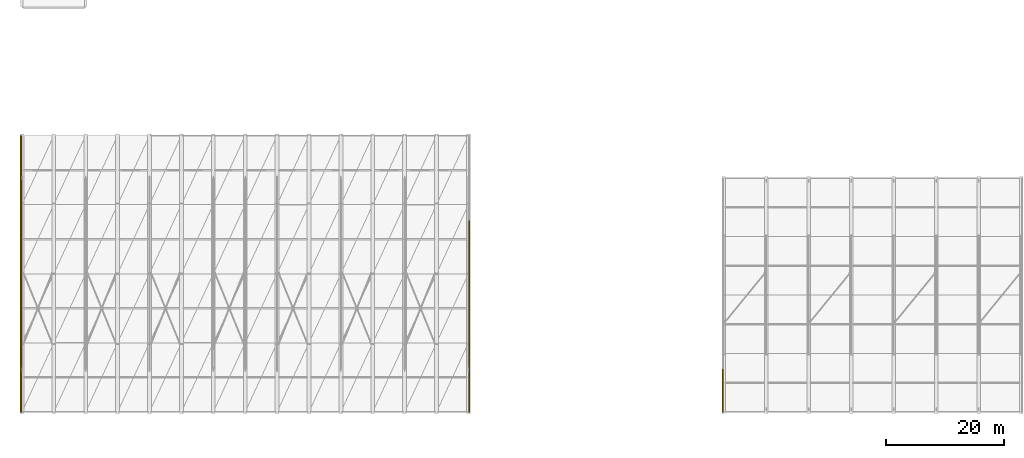
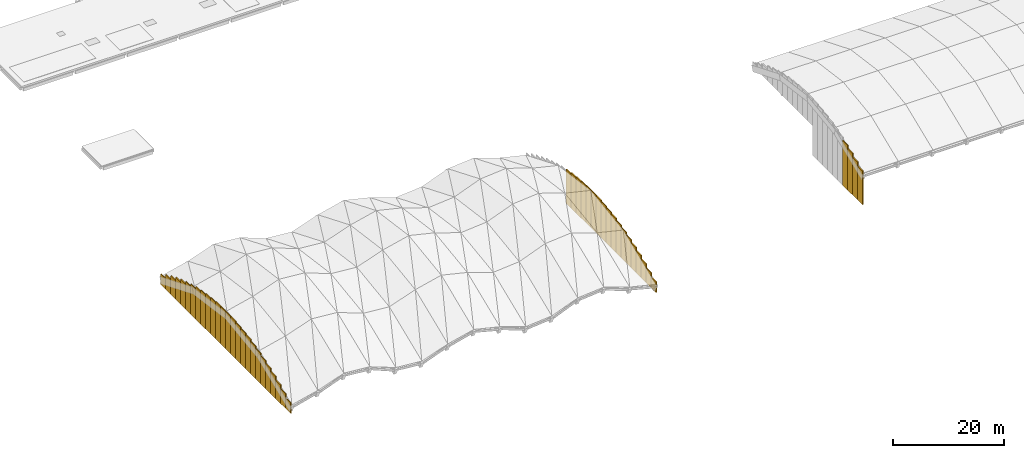
# One storey, part 19 of 22: 48 coverings.
"""IFC4 building model written with IfcOpenShell, lengths in metres."""

from ifc_helpers import new_model, si_unit, direction, frame, origin, origin_2d, place, context, subcontext, project, spatial, rectangle, extrude, material, layer, layer_set, type_object, element, save


model = new_model("IFC4")

# Units and contexts
model_context = context("Model", 3, precision=1e-05, world=origin(), true_north=direction((0.0, 1.0)))
body_context = subcontext(model_context, "Body", "Model", "MODEL_VIEW")
ifc_project = project(units=[si_unit("LENGTHUNIT", "METRE"), si_unit("AREAUNIT", "SQUARE_METRE"), si_unit("VOLUMEUNIT", "CUBIC_METRE"), si_unit("PLANEANGLEUNIT", "RADIAN"), si_unit("MASSUNIT", "GRAM", prefix="KILO")], contexts=[model_context])

# Site, building, storey
site_placement = place(None, origin())
site = spatial("IfcSite", under=ifc_project, at=site_placement, CompositionType="ELEMENT")
building_placement = place(site_placement, origin())
building = spatial("IfcBuilding", under=site, at=building_placement, Name="Lusvemor Sports Hall", CompositionType="ELEMENT")
storey_placement = place(building_placement, frame((0.0, 0.0, 23.39990234375)))
storey = spatial("IfcBuildingStorey", under=building, at=storey_placement, Name="Roof", CompositionType="ELEMENT", Elevation=23.39990234375)

# Coverings
ifc_material_1 = material(Name="Emerald polychrome glazed ceramic cladding on Concrete C40/50 backing", Category="concrete")
ifc_layer_1 = layer(ifc_material_1, 0.0458984375)
ifc_layer_set_1 = layer_set([ifc_layer_1], Name="Emerald polychrome glazed ceramic cladding on Concrete C40/50 backing")
covering_type_1 = type_object("IfcCoveringType", Name="CLAD_WAVE_EMERALD", PredefinedType="CLADDING", material=ifc_layer_set_1)
covering_1_placement = place(storey_placement, frame((118.639892578125, 0.89990234375, -8.5498046875), z_axis=(0.0, 0.0, 1.0), x_axis=(1.0, 0.0, 0.0)))
element("IfcCovering", 1, at=covering_1_placement, inside=storey, type_object=covering_type_1, Name="East Vault Gable Patterned Tympanum W-01", PredefinedType="CLADDING", context=body_context, shape_type="SweptSolid", body=[
    extrude(rectangle(XDim=0.199951171875, YDim=1.81201171875, at=origin_2d()), origin(), (0.0, 0.0, 1.0), 7.409912109375),
])
covering_2_placement = place(storey_placement, frame((118.639892578125, 4.5, -8.5498046875), z_axis=(0.0, 0.0, 1.0), x_axis=(1.0, 0.0, 0.0)))
element("IfcCovering", 2, at=covering_2_placement, inside=storey, type_object=covering_type_1, Name="East Vault Gable Patterned Tympanum W-03", PredefinedType="CLADDING", context=body_context, shape_type="SweptSolid", body=[
    extrude(rectangle(XDim=0.199951171875, YDim=1.81201171875, at=origin_2d()), origin(), (0.0, 0.0, 1.0), 9.105712890625),
])
covering_3_placement = place(storey_placement, frame((-0.159912109375, 0.89990234375, -12.7998046875), z_axis=(0.0, 0.0, 1.0), x_axis=(1.0, 0.0, 0.0)))
element("IfcCovering", 3, at=covering_3_placement, inside=storey, type_object=covering_type_1, Name="Wave Vault Gable Patterned Tympanum W-01", PredefinedType="CLADDING", context=body_context, shape_type="SweptSolid", body=[
    extrude(rectangle(XDim=0.199951171875, YDim=1.81201171875, at=origin_2d()), origin(), (0.0, 0.0, 1.0), 2.30517578125),
])
covering_4_placement = place(storey_placement, frame((-0.159912109375, 4.5, -12.7998046875), z_axis=(0.0, 0.0, 1.0), x_axis=(1.0, 0.0, 0.0)))
element("IfcCovering", 4, at=covering_4_placement, inside=storey, type_object=covering_type_1, Name="Wave Vault Gable Patterned Tympanum W-03", PredefinedType="CLADDING", context=body_context, shape_type="SweptSolid", body=[
    extrude(rectangle(XDim=0.199951171875, YDim=1.81201171875, at=origin_2d()), origin(), (0.0, 0.0, 1.0), 4.055419921875),
])
covering_5_placement = place(storey_placement, frame((-0.159912109375, 8.10009765625, -12.7998046875), z_axis=(0.0, 0.0, 1.0), x_axis=(1.0, 0.0, 0.0)))
element("IfcCovering", 5, at=covering_5_placement, inside=storey, type_object=covering_type_1, Name="Wave Vault Gable Patterned Tympanum W-05", PredefinedType="CLADDING", context=body_context, shape_type="SweptSolid", body=[
    extrude(rectangle(XDim=0.199951171875, YDim=1.81201171875, at=origin_2d()), origin(), (0.0, 0.0, 1.0), 5.501220703125),
])
covering_6_placement = place(storey_placement, frame((-0.159912109375, 11.699951171875, -12.7998046875), z_axis=(0.0, 0.0, 1.0), x_axis=(1.0, 0.0, 0.0)))
element("IfcCovering", 6, at=covering_6_placement, inside=storey, type_object=covering_type_1, Name="Wave Vault Gable Patterned Tympanum W-07", PredefinedType="CLADDING", context=body_context, shape_type="SweptSolid", body=[
    extrude(rectangle(XDim=0.199951171875, YDim=1.81201171875, at=origin_2d()), origin(), (0.0, 0.0, 1.0), 6.642578125),
])
covering_7_placement = place(storey_placement, frame((-0.159912109375, 15.300048828125, -12.7998046875), z_axis=(0.0, 0.0, 1.0), x_axis=(1.0, 0.0, 0.0)))
element("IfcCovering", 7, at=covering_7_placement, inside=storey, type_object=covering_type_1, Name="Wave Vault Gable Patterned Tympanum W-09", PredefinedType="CLADDING", context=body_context, shape_type="SweptSolid", body=[
    extrude(rectangle(XDim=0.199951171875, YDim=1.81201171875, at=origin_2d()), origin(), (0.0, 0.0, 1.0), 7.4794921875),
])
covering_8_placement = place(storey_placement, frame((-0.159912109375, 18.89990234375, -12.7998046875), z_axis=(0.0, 0.0, 1.0), x_axis=(1.0, 0.0, 0.0)))
element("IfcCovering", 8, at=covering_8_placement, inside=storey, type_object=covering_type_1, Name="Wave Vault Gable Patterned Tympanum W-11", PredefinedType="CLADDING", context=body_context, shape_type="SweptSolid", body=[
    extrude(rectangle(XDim=0.199951171875, YDim=1.81201171875, at=origin_2d()), origin(), (0.0, 0.0, 1.0), 8.01220703125),
])
covering_9_placement = place(storey_placement, frame((-0.159912109375, 22.5, -12.7998046875), z_axis=(0.0, 0.0, 1.0), x_axis=(1.0, 0.0, 0.0)))
element("IfcCovering", 9, at=covering_9_placement, inside=storey, type_object=covering_type_1, Name="Wave Vault Gable Patterned Tympanum W-13", PredefinedType="CLADDING", context=body_context, shape_type="SweptSolid", body=[
    extrude(rectangle(XDim=0.199951171875, YDim=1.81201171875, at=origin_2d()), origin(), (0.0, 0.0, 1.0), 8.240478515625),
])
covering_10_placement = place(storey_placement, frame((-0.159912109375, 26.10009765625, -12.7998046875), z_axis=(0.0, 0.0, 1.0), x_axis=(1.0, 0.0, 0.0)))
element("IfcCovering", 10, at=covering_10_placement, inside=storey, type_object=covering_type_1, Name="Wave Vault Gable Patterned Tympanum W-15", PredefinedType="CLADDING", context=body_context, shape_type="SweptSolid", body=[
    extrude(rectangle(XDim=0.199951171875, YDim=1.81201171875, at=origin_2d()), origin(), (0.0, 0.0, 1.0), 8.164306640625),
])
covering_11_placement = place(storey_placement, frame((-0.159912109375, 29.699951171875, -12.7998046875), z_axis=(0.0, 0.0, 1.0), x_axis=(1.0, 0.0, 0.0)))
element("IfcCovering", 11, at=covering_11_placement, inside=storey, type_object=covering_type_1, Name="Wave Vault Gable Patterned Tympanum W-17", PredefinedType="CLADDING", context=body_context, shape_type="SweptSolid", body=[
    extrude(rectangle(XDim=0.199951171875, YDim=1.81201171875, at=origin_2d()), origin(), (0.0, 0.0, 1.0), 7.783935546875),
])
covering_12_placement = place(storey_placement, frame((-0.159912109375, 33.300048828125, -12.800048828125), z_axis=(0.0, 0.0, 1.0), x_axis=(1.0, 0.0, 0.0)))
element("IfcCovering", 12, at=covering_12_placement, inside=storey, type_object=covering_type_1, Name="Wave Vault Gable Patterned Tympanum W-19", PredefinedType="CLADDING", context=body_context, shape_type="SweptSolid", body=[
    extrude(rectangle(XDim=0.199951171875, YDim=1.81201171875, at=origin_2d()), origin(), (0.0, 0.0, 1.0), 7.09912109375),
])
covering_13_placement = place(storey_placement, frame((-0.159912109375, 36.89990234375, -12.800048828125), z_axis=(0.0, 0.0, 1.0), x_axis=(1.0, 0.0, 0.0)))
element("IfcCovering", 13, at=covering_13_placement, inside=storey, type_object=covering_type_1, Name="Wave Vault Gable Patterned Tympanum W-21", PredefinedType="CLADDING", context=body_context, shape_type="SweptSolid", body=[
    extrude(rectangle(XDim=0.199951171875, YDim=1.81201171875, at=origin_2d()), origin(), (0.0, 0.0, 1.0), 6.10986328125),
])
covering_14_placement = place(storey_placement, frame((-0.159912109375, 40.5, -12.7998046875), z_axis=(0.0, 0.0, 1.0), x_axis=(1.0, 0.0, 0.0)))
element("IfcCovering", 14, at=covering_14_placement, inside=storey, type_object=covering_type_1, Name="Wave Vault Gable Patterned Tympanum W-23", PredefinedType="CLADDING", context=body_context, shape_type="SweptSolid", body=[
    extrude(rectangle(XDim=0.199951171875, YDim=1.81201171875, at=origin_2d()), origin(), (0.0, 0.0, 1.0), 4.816162109375),
])
covering_15_placement = place(storey_placement, frame((-0.159912109375, 44.10009765625, -12.800048828125), z_axis=(0.0, 0.0, 1.0), x_axis=(1.0, 0.0, 0.0)))
element("IfcCovering", 15, at=covering_15_placement, inside=storey, type_object=covering_type_1, Name="Wave Vault Gable Patterned Tympanum W-25", PredefinedType="CLADDING", context=body_context, shape_type="SweptSolid", body=[
    extrude(rectangle(XDim=0.199951171875, YDim=1.81201171875, at=origin_2d()), origin(), (0.0, 0.0, 1.0), 3.21826171875),
])
covering_16_placement = place(storey_placement, frame((75.760009765625, 0.89990234375, -12.7998046875), z_axis=(0.0, 0.0, 1.0), x_axis=(1.0, 0.0, 0.0)))
element("IfcCovering", 16, at=covering_16_placement, inside=storey, type_object=covering_type_1, Name="Wave Vault Gable Patterned Tympanum E-01", PredefinedType="CLADDING", context=body_context, shape_type="SweptSolid", body=[
    extrude(rectangle(XDim=0.199951171875, YDim=1.81201171875, at=origin_2d()), origin(), (0.0, 0.0, 1.0), 2.30517578125),
])
covering_17_placement = place(storey_placement, frame((75.760009765625, 4.5, -12.7998046875), z_axis=(0.0, 0.0, 1.0), x_axis=(1.0, 0.0, 0.0)))
element("IfcCovering", 17, at=covering_17_placement, inside=storey, type_object=covering_type_1, Name="Wave Vault Gable Patterned Tympanum E-03", PredefinedType="CLADDING", context=body_context, shape_type="SweptSolid", body=[
    extrude(rectangle(XDim=0.199951171875, YDim=1.81201171875, at=origin_2d()), origin(), (0.0, 0.0, 1.0), 4.055419921875),
])
covering_18_placement = place(storey_placement, frame((75.760009765625, 8.10009765625, -12.7998046875), z_axis=(0.0, 0.0, 1.0), x_axis=(1.0, 0.0, 0.0)))
element("IfcCovering", 18, at=covering_18_placement, inside=storey, type_object=covering_type_1, Name="Wave Vault Gable Patterned Tympanum E-05", PredefinedType="CLADDING", context=body_context, shape_type="SweptSolid", body=[
    extrude(rectangle(XDim=0.199951171875, YDim=1.81201171875, at=origin_2d()), origin(), (0.0, 0.0, 1.0), 5.501220703125),
])
covering_19_placement = place(storey_placement, frame((75.760009765625, 11.699951171875, -12.7998046875), z_axis=(0.0, 0.0, 1.0), x_axis=(1.0, 0.0, 0.0)))
element("IfcCovering", 19, at=covering_19_placement, inside=storey, type_object=covering_type_1, Name="Wave Vault Gable Patterned Tympanum E-07", PredefinedType="CLADDING", context=body_context, shape_type="SweptSolid", body=[
    extrude(rectangle(XDim=0.199951171875, YDim=1.81201171875, at=origin_2d()), origin(), (0.0, 0.0, 1.0), 6.642578125),
])
covering_20_placement = place(storey_placement, frame((75.760009765625, 15.300048828125, -12.7998046875), z_axis=(0.0, 0.0, 1.0), x_axis=(1.0, 0.0, 0.0)))
element("IfcCovering", 20, at=covering_20_placement, inside=storey, type_object=covering_type_1, Name="Wave Vault Gable Patterned Tympanum E-09", PredefinedType="CLADDING", context=body_context, shape_type="SweptSolid", body=[
    extrude(rectangle(XDim=0.199951171875, YDim=1.81201171875, at=origin_2d()), origin(), (0.0, 0.0, 1.0), 7.4794921875),
])
covering_21_placement = place(storey_placement, frame((75.760009765625, 18.89990234375, -12.7998046875), z_axis=(0.0, 0.0, 1.0), x_axis=(1.0, 0.0, 0.0)))
element("IfcCovering", 21, at=covering_21_placement, inside=storey, type_object=covering_type_1, Name="Wave Vault Gable Patterned Tympanum E-11", PredefinedType="CLADDING", context=body_context, shape_type="SweptSolid", body=[
    extrude(rectangle(XDim=0.199951171875, YDim=1.81201171875, at=origin_2d()), origin(), (0.0, 0.0, 1.0), 8.01220703125),
])
covering_22_placement = place(storey_placement, frame((75.760009765625, 22.5, -12.7998046875), z_axis=(0.0, 0.0, 1.0), x_axis=(1.0, 0.0, 0.0)))
element("IfcCovering", 22, at=covering_22_placement, inside=storey, type_object=covering_type_1, Name="Wave Vault Gable Patterned Tympanum E-13", PredefinedType="CLADDING", context=body_context, shape_type="SweptSolid", body=[
    extrude(rectangle(XDim=0.199951171875, YDim=1.81201171875, at=origin_2d()), origin(), (0.0, 0.0, 1.0), 8.240478515625),
])
covering_23_placement = place(storey_placement, frame((75.760009765625, 26.10009765625, -12.7998046875), z_axis=(0.0, 0.0, 1.0), x_axis=(1.0, 0.0, 0.0)))
element("IfcCovering", 23, at=covering_23_placement, inside=storey, type_object=covering_type_1, Name="Wave Vault Gable Patterned Tympanum E-15", PredefinedType="CLADDING", context=body_context, shape_type="SweptSolid", body=[
    extrude(rectangle(XDim=0.199951171875, YDim=1.81201171875, at=origin_2d()), origin(), (0.0, 0.0, 1.0), 8.164306640625),
])
covering_24_placement = place(storey_placement, frame((75.760009765625, 29.699951171875, -12.7998046875), z_axis=(0.0, 0.0, 1.0), x_axis=(1.0, 0.0, 0.0)))
element("IfcCovering", 24, at=covering_24_placement, inside=storey, type_object=covering_type_1, Name="Wave Vault Gable Patterned Tympanum E-17", PredefinedType="CLADDING", context=body_context, shape_type="SweptSolid", body=[
    extrude(rectangle(XDim=0.199951171875, YDim=1.81201171875, at=origin_2d()), origin(), (0.0, 0.0, 1.0), 7.783935546875),
])
ifc_material_2 = material(Name="Warm terracotta Art Nouveau ceramic cladding on Concrete C40/50 backing", Category="masonry")
ifc_layer_2 = layer(ifc_material_2, 0.0380859375)
ifc_layer_set_2 = layer_set([ifc_layer_2], Name="Warm terracotta Art Nouveau ceramic cladding on Concrete C40/50 backing")
covering_type_2 = type_object("IfcCoveringType", Name="CLAD_WAVE_OCHRE", PredefinedType="CLADDING", material=ifc_layer_set_2)
covering_25_placement = place(storey_placement, frame((118.639892578125, 2.699951171875, -8.5498046875), z_axis=(0.0, 0.0, 1.0), x_axis=(1.0, 0.0, 0.0)))
element("IfcCovering", 25, at=covering_25_placement, inside=storey, type_object=covering_type_2, Name="East Vault Gable Patterned Tympanum W-02", PredefinedType="CLADDING", context=body_context, shape_type="SweptSolid", body=[
    extrude(rectangle(XDim=0.199951171875, YDim=1.81201171875, at=origin_2d()), origin(), (0.0, 0.0, 1.0), 8.30224609375),
])
covering_26_placement = place(storey_placement, frame((118.639892578125, 6.300048828125, -8.5498046875), z_axis=(0.0, 0.0, 1.0), x_axis=(1.0, 0.0, 0.0)))
element("IfcCovering", 26, at=covering_26_placement, inside=storey, type_object=covering_type_2, Name="East Vault Gable Patterned Tympanum W-04", PredefinedType="CLADDING", context=body_context, shape_type="SweptSolid", body=[
    extrude(rectangle(XDim=0.199951171875, YDim=1.81201171875, at=origin_2d()), origin(), (0.0, 0.0, 1.0), 9.819580078125),
])
covering_27_placement = place(storey_placement, frame((-0.159912109375, 2.699951171875, -12.800048828125), z_axis=(0.0, 0.0, 1.0), x_axis=(1.0, 0.0, 0.0)))
element("IfcCovering", 27, at=covering_27_placement, inside=storey, type_object=covering_type_2, Name="Wave Vault Gable Patterned Tympanum W-02", PredefinedType="CLADDING", context=body_context, shape_type="SweptSolid", body=[
    extrude(rectangle(XDim=0.199951171875, YDim=1.81201171875, at=origin_2d()), origin(), (0.0, 0.0, 1.0), 3.21826171875),
])
covering_28_placement = place(storey_placement, frame((-0.159912109375, 6.300048828125, -12.7998046875), z_axis=(0.0, 0.0, 1.0), x_axis=(1.0, 0.0, 0.0)))
element("IfcCovering", 28, at=covering_28_placement, inside=storey, type_object=covering_type_2, Name="Wave Vault Gable Patterned Tympanum W-04", PredefinedType="CLADDING", context=body_context, shape_type="SweptSolid", body=[
    extrude(rectangle(XDim=0.199951171875, YDim=1.81201171875, at=origin_2d()), origin(), (0.0, 0.0, 1.0), 4.816162109375),
])
covering_29_placement = place(storey_placement, frame((-0.159912109375, 9.89990234375, -12.800048828125), z_axis=(0.0, 0.0, 1.0), x_axis=(1.0, 0.0, 0.0)))
element("IfcCovering", 29, at=covering_29_placement, inside=storey, type_object=covering_type_2, Name="Wave Vault Gable Patterned Tympanum W-06", PredefinedType="CLADDING", context=body_context, shape_type="SweptSolid", body=[
    extrude(rectangle(XDim=0.199951171875, YDim=1.81201171875, at=origin_2d()), origin(), (0.0, 0.0, 1.0), 6.10986328125),
])
covering_30_placement = place(storey_placement, frame((-0.159912109375, 13.5, -12.800048828125), z_axis=(0.0, 0.0, 1.0), x_axis=(1.0, 0.0, 0.0)))
element("IfcCovering", 30, at=covering_30_placement, inside=storey, type_object=covering_type_2, Name="Wave Vault Gable Patterned Tympanum W-08", PredefinedType="CLADDING", context=body_context, shape_type="SweptSolid", body=[
    extrude(rectangle(XDim=0.199951171875, YDim=1.81201171875, at=origin_2d()), origin(), (0.0, 0.0, 1.0), 7.09912109375),
])
covering_31_placement = place(storey_placement, frame((-0.159912109375, 17.10009765625, -12.7998046875), z_axis=(0.0, 0.0, 1.0), x_axis=(1.0, 0.0, 0.0)))
element("IfcCovering", 31, at=covering_31_placement, inside=storey, type_object=covering_type_2, Name="Wave Vault Gable Patterned Tympanum W-10", PredefinedType="CLADDING", context=body_context, shape_type="SweptSolid", body=[
    extrude(rectangle(XDim=0.199951171875, YDim=1.81201171875, at=origin_2d()), origin(), (0.0, 0.0, 1.0), 7.783935546875),
])
covering_32_placement = place(storey_placement, frame((-0.159912109375, 20.699951171875, -12.7998046875), z_axis=(0.0, 0.0, 1.0), x_axis=(1.0, 0.0, 0.0)))
element("IfcCovering", 32, at=covering_32_placement, inside=storey, type_object=covering_type_2, Name="Wave Vault Gable Patterned Tympanum W-12", PredefinedType="CLADDING", context=body_context, shape_type="SweptSolid", body=[
    extrude(rectangle(XDim=0.199951171875, YDim=1.81201171875, at=origin_2d()), origin(), (0.0, 0.0, 1.0), 8.164306640625),
])
covering_33_placement = place(storey_placement, frame((-0.159912109375, 24.300048828125, -12.7998046875), z_axis=(0.0, 0.0, 1.0), x_axis=(1.0, 0.0, 0.0)))
element("IfcCovering", 33, at=covering_33_placement, inside=storey, type_object=covering_type_2, Name="Wave Vault Gable Patterned Tympanum W-14", PredefinedType="CLADDING", context=body_context, shape_type="SweptSolid", body=[
    extrude(rectangle(XDim=0.199951171875, YDim=1.81201171875, at=origin_2d()), origin(), (0.0, 0.0, 1.0), 8.240478515625),
])
covering_34_placement = place(storey_placement, frame((-0.159912109375, 27.89990234375, -12.7998046875), z_axis=(0.0, 0.0, 1.0), x_axis=(1.0, 0.0, 0.0)))
element("IfcCovering", 34, at=covering_34_placement, inside=storey, type_object=covering_type_2, Name="Wave Vault Gable Patterned Tympanum W-16", PredefinedType="CLADDING", context=body_context, shape_type="SweptSolid", body=[
    extrude(rectangle(XDim=0.199951171875, YDim=1.81201171875, at=origin_2d()), origin(), (0.0, 0.0, 1.0), 8.01220703125),
])
covering_35_placement = place(storey_placement, frame((-0.159912109375, 31.5, -12.7998046875), z_axis=(0.0, 0.0, 1.0), x_axis=(1.0, 0.0, 0.0)))
element("IfcCovering", 35, at=covering_35_placement, inside=storey, type_object=covering_type_2, Name="Wave Vault Gable Patterned Tympanum W-18", PredefinedType="CLADDING", context=body_context, shape_type="SweptSolid", body=[
    extrude(rectangle(XDim=0.199951171875, YDim=1.81201171875, at=origin_2d()), origin(), (0.0, 0.0, 1.0), 7.4794921875),
])
covering_36_placement = place(storey_placement, frame((-0.159912109375, 35.10009765625, -12.7998046875), z_axis=(0.0, 0.0, 1.0), x_axis=(1.0, 0.0, 0.0)))
element("IfcCovering", 36, at=covering_36_placement, inside=storey, type_object=covering_type_2, Name="Wave Vault Gable Patterned Tympanum W-20", PredefinedType="CLADDING", context=body_context, shape_type="SweptSolid", body=[
    extrude(rectangle(XDim=0.199951171875, YDim=1.81201171875, at=origin_2d()), origin(), (0.0, 0.0, 1.0), 6.642578125),
])
covering_37_placement = place(storey_placement, frame((-0.159912109375, 38.699951171875, -12.7998046875), z_axis=(0.0, 0.0, 1.0), x_axis=(1.0, 0.0, 0.0)))
element("IfcCovering", 37, at=covering_37_placement, inside=storey, type_object=covering_type_2, Name="Wave Vault Gable Patterned Tympanum W-22", PredefinedType="CLADDING", context=body_context, shape_type="SweptSolid", body=[
    extrude(rectangle(XDim=0.199951171875, YDim=1.81201171875, at=origin_2d()), origin(), (0.0, 0.0, 1.0), 5.501220703125),
])
covering_38_placement = place(storey_placement, frame((-0.159912109375, 42.300048828125, -12.7998046875), z_axis=(0.0, 0.0, 1.0), x_axis=(1.0, 0.0, 0.0)))
element("IfcCovering", 38, at=covering_38_placement, inside=storey, type_object=covering_type_2, Name="Wave Vault Gable Patterned Tympanum W-24", PredefinedType="CLADDING", context=body_context, shape_type="SweptSolid", body=[
    extrude(rectangle(XDim=0.199951171875, YDim=1.81201171875, at=origin_2d()), origin(), (0.0, 0.0, 1.0), 4.055419921875),
])
covering_39_placement = place(storey_placement, frame((-0.159912109375, 45.89990234375, -12.7998046875), z_axis=(0.0, 0.0, 1.0), x_axis=(1.0, 0.0, 0.0)))
element("IfcCovering", 39, at=covering_39_placement, inside=storey, type_object=covering_type_2, Name="Wave Vault Gable Patterned Tympanum W-26", PredefinedType="CLADDING", context=body_context, shape_type="SweptSolid", body=[
    extrude(rectangle(XDim=0.199951171875, YDim=1.81201171875, at=origin_2d()), origin(), (0.0, 0.0, 1.0), 2.30517578125),
])
covering_40_placement = place(storey_placement, frame((75.760009765625, 2.699951171875, -12.800048828125), z_axis=(0.0, 0.0, 1.0), x_axis=(1.0, 0.0, 0.0)))
element("IfcCovering", 40, at=covering_40_placement, inside=storey, type_object=covering_type_2, Name="Wave Vault Gable Patterned Tympanum E-02", PredefinedType="CLADDING", context=body_context, shape_type="SweptSolid", body=[
    extrude(rectangle(XDim=0.199951171875, YDim=1.81201171875, at=origin_2d()), origin(), (0.0, 0.0, 1.0), 3.21826171875),
])
covering_41_placement = place(storey_placement, frame((75.760009765625, 6.300048828125, -12.7998046875), z_axis=(0.0, 0.0, 1.0), x_axis=(1.0, 0.0, 0.0)))
element("IfcCovering", 41, at=covering_41_placement, inside=storey, type_object=covering_type_2, Name="Wave Vault Gable Patterned Tympanum E-04", PredefinedType="CLADDING", context=body_context, shape_type="SweptSolid", body=[
    extrude(rectangle(XDim=0.199951171875, YDim=1.81201171875, at=origin_2d()), origin(), (0.0, 0.0, 1.0), 4.816162109375),
])
covering_42_placement = place(storey_placement, frame((75.760009765625, 9.89990234375, -12.800048828125), z_axis=(0.0, 0.0, 1.0), x_axis=(1.0, 0.0, 0.0)))
element("IfcCovering", 42, at=covering_42_placement, inside=storey, type_object=covering_type_2, Name="Wave Vault Gable Patterned Tympanum E-06", PredefinedType="CLADDING", context=body_context, shape_type="SweptSolid", body=[
    extrude(rectangle(XDim=0.199951171875, YDim=1.81201171875, at=origin_2d()), origin(), (0.0, 0.0, 1.0), 6.10986328125),
])
covering_43_placement = place(storey_placement, frame((75.760009765625, 13.5, -12.800048828125), z_axis=(0.0, 0.0, 1.0), x_axis=(1.0, 0.0, 0.0)))
element("IfcCovering", 43, at=covering_43_placement, inside=storey, type_object=covering_type_2, Name="Wave Vault Gable Patterned Tympanum E-08", PredefinedType="CLADDING", context=body_context, shape_type="SweptSolid", body=[
    extrude(rectangle(XDim=0.199951171875, YDim=1.81201171875, at=origin_2d()), origin(), (0.0, 0.0, 1.0), 7.09912109375),
])
covering_44_placement = place(storey_placement, frame((75.760009765625, 17.10009765625, -12.7998046875), z_axis=(0.0, 0.0, 1.0), x_axis=(1.0, 0.0, 0.0)))
element("IfcCovering", 44, at=covering_44_placement, inside=storey, type_object=covering_type_2, Name="Wave Vault Gable Patterned Tympanum E-10", PredefinedType="CLADDING", context=body_context, shape_type="SweptSolid", body=[
    extrude(rectangle(XDim=0.199951171875, YDim=1.81201171875, at=origin_2d()), origin(), (0.0, 0.0, 1.0), 7.783935546875),
])
covering_45_placement = place(storey_placement, frame((75.760009765625, 20.699951171875, -12.7998046875), z_axis=(0.0, 0.0, 1.0), x_axis=(1.0, 0.0, 0.0)))
element("IfcCovering", 45, at=covering_45_placement, inside=storey, type_object=covering_type_2, Name="Wave Vault Gable Patterned Tympanum E-12", PredefinedType="CLADDING", context=body_context, shape_type="SweptSolid", body=[
    extrude(rectangle(XDim=0.199951171875, YDim=1.81201171875, at=origin_2d()), origin(), (0.0, 0.0, 1.0), 8.164306640625),
])
covering_46_placement = place(storey_placement, frame((75.760009765625, 24.300048828125, -12.7998046875), z_axis=(0.0, 0.0, 1.0), x_axis=(1.0, 0.0, 0.0)))
element("IfcCovering", 46, at=covering_46_placement, inside=storey, type_object=covering_type_2, Name="Wave Vault Gable Patterned Tympanum E-14", PredefinedType="CLADDING", context=body_context, shape_type="SweptSolid", body=[
    extrude(rectangle(XDim=0.199951171875, YDim=1.81201171875, at=origin_2d()), origin(), (0.0, 0.0, 1.0), 8.240478515625),
])
covering_47_placement = place(storey_placement, frame((75.760009765625, 27.89990234375, -12.7998046875), z_axis=(0.0, 0.0, 1.0), x_axis=(1.0, 0.0, 0.0)))
element("IfcCovering", 47, at=covering_47_placement, inside=storey, type_object=covering_type_2, Name="Wave Vault Gable Patterned Tympanum E-16", PredefinedType="CLADDING", context=body_context, shape_type="SweptSolid", body=[
    extrude(rectangle(XDim=0.199951171875, YDim=1.81201171875, at=origin_2d()), origin(), (0.0, 0.0, 1.0), 8.01220703125),
])
covering_48_placement = place(storey_placement, frame((75.760009765625, 31.5, -12.7998046875), z_axis=(0.0, 0.0, 1.0), x_axis=(1.0, 0.0, 0.0)))
element("IfcCovering", 48, at=covering_48_placement, inside=storey, type_object=covering_type_2, Name="Wave Vault Gable Patterned Tympanum E-18", PredefinedType="CLADDING", context=body_context, shape_type="SweptSolid", body=[
    extrude(rectangle(XDim=0.199951171875, YDim=1.81201171875, at=origin_2d()), origin(), (0.0, 0.0, 1.0), 7.4794921875),
])

save(model, "model.ifc")
